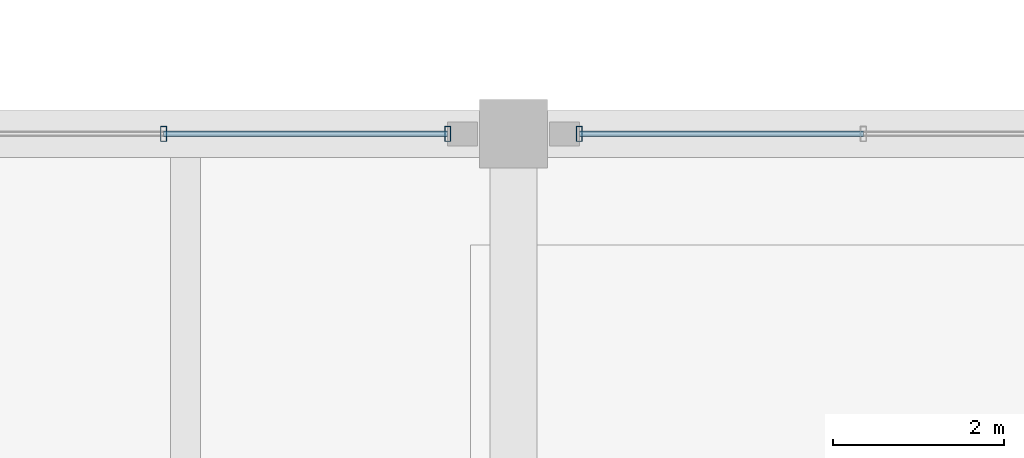
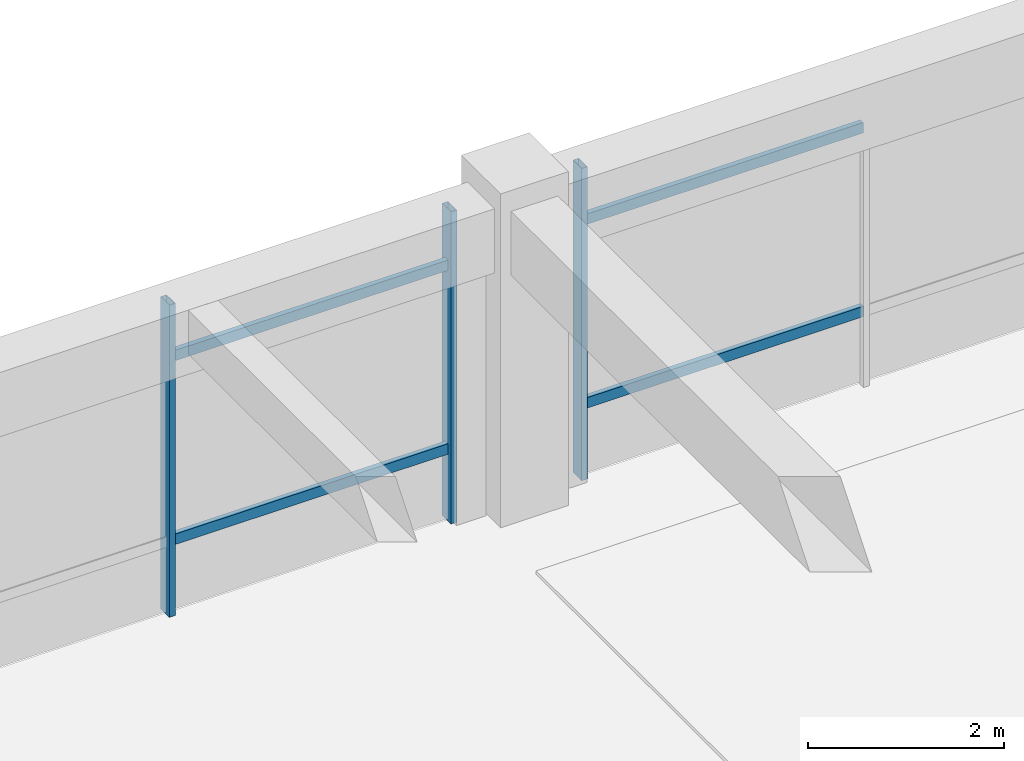
# One storey, part 21 of 33: 7 members, 2 elements without a shape of their own.
"""IFC4 building model written with IfcOpenShell, lengths in metres."""

from ifc_helpers import new_model, si_unit, direction, frame, origin, origin_2d, place, context, subcontext, project, spatial, hollow_rectangle, extrude, material, material_profile, profile_set, type_object, element, aggregate, save


model = new_model("IFC4")

# Units and contexts
model_context = context("Model", 3, precision=1e-05, world=origin(), true_north=direction((0.0, 1.0)))
body_context = subcontext(model_context, "Body", "Model", "MODEL_VIEW")
ifc_project = project(units=[si_unit("LENGTHUNIT", "METRE"), si_unit("AREAUNIT", "SQUARE_METRE"), si_unit("VOLUMEUNIT", "CUBIC_METRE"), si_unit("PLANEANGLEUNIT", "RADIAN"), si_unit("MASSUNIT", "GRAM", prefix="KILO")], contexts=[model_context])

# Site, building, storey
site_placement = place(None, origin())
site = spatial("IfcSite", under=ifc_project, at=site_placement, CompositionType="ELEMENT")
building_placement = place(site_placement, origin())
building = spatial("IfcBuilding", under=site, at=building_placement, Name="Ologun Quay Terminus", CompositionType="ELEMENT")
storey_placement = place(building_placement, frame((0.0, 0.0, 18.300048828125)))
storey = spatial("IfcBuildingStorey", under=building, at=storey_placement, Name="L04", CompositionType="ELEMENT", Elevation=18.300048828125)

# Curtain wall, members
ifc_material_1 = material(Name="Aluminium 6063-T6", Category="aluminium")
curtain_wall_type = type_object("IfcCurtainWallType", Name="Operations Wing Harbour Curtain Wall L04 10400x3800", PredefinedType="USERDEFINED", material=ifc_material_1)
curtain_wall_1_placement = place(storey_placement, origin())
curtain_wall_1 = element("IfcCurtainWall", 1, at=curtain_wall_1_placement, inside=storey, type_object=curtain_wall_type, Name="CW-27 Curtain Wall CW-L04-147", ObjectType="UNITISED CURTAIN WALL", PredefinedType="USERDEFINED")
ifc_material_2 = material(Name="Aluminium 6063-T6", Category="aluminium")
ifc_material_profile_1 = material_profile(ifc_material_2, hollow_rectangle(XDim=0.070068359375, YDim=0.179931640625, WallThickness=0.0048828125, at=origin_2d()), Name="ALU 180x70x5")
ifc_profile_set_1 = profile_set([ifc_material_profile_1], Name="Aluminium 6063-T6")
member_type_1 = type_object("IfcMemberType", Name="Curtain Wall Heavy Mullion 180x70", PredefinedType="MULLION", material=ifc_profile_set_1)
member_1_placement = place(storey_placement, frame((133.909912109375, 114.800048828125, 0.0), z_axis=(0.0, 0.0, 1.0), x_axis=(1.0, 0.0, 0.0)))
member_1 = element("IfcMember", 2, at=member_1_placement, type_object=member_type_1, Name="CW-L04-147 Mullion 3", PredefinedType="MULLION", context=body_context, shape_type="SweptSolid", body=[
    extrude(hollow_rectangle(XDim=0.070068359375, YDim=0.179931640625, WallThickness=0.0048828125, at=origin_2d()), origin(), (0.0, 0.0, 1.0), 3.889892578125),
])
member_2_placement = place(storey_placement, frame((137.22998046875, 114.800048828125, 0.0), z_axis=(0.0, 0.0, 1.0), x_axis=(1.0, 0.0, 0.0)))
member_2 = element("IfcMember", 3, at=member_2_placement, type_object=member_type_1, Name="CW-L04-147 Mullion 4", PredefinedType="MULLION", context=body_context, shape_type="SweptSolid", body=[
    extrude(hollow_rectangle(XDim=0.070068359375, YDim=0.179931640625, WallThickness=0.0048828125, at=origin_2d()), origin(), (0.0, 0.0, 1.0), 3.889892578125),
])

# Curtain wall, member
curtain_wall_2_placement = place(storey_placement, origin())
curtain_wall_2 = element("IfcCurtainWall", 4, at=curtain_wall_2_placement, inside=storey, type_object=curtain_wall_type, Name="CW-27 Curtain Wall CW-L04-148", ObjectType="UNITISED CURTAIN WALL", PredefinedType="USERDEFINED")
member_3_placement = place(storey_placement, frame((138.77001953125, 114.800048828125, 0.0), z_axis=(0.0, 0.0, 1.0), x_axis=(1.0, 0.0, 0.0)))
member_3 = element("IfcMember", 5, at=member_3_placement, type_object=member_type_1, Name="CW-L04-148 Mullion 1", PredefinedType="MULLION", context=body_context, shape_type="SweptSolid", body=[
    extrude(hollow_rectangle(XDim=0.070068359375, YDim=0.179931640625, WallThickness=0.0048828125, at=origin_2d()), origin(), (0.0, 0.0, 1.0), 3.889892578125),
])

# Member
ifc_material_3 = material(Name="Aluminium 6063-T6", Category="aluminium")
ifc_material_profile_2 = material_profile(ifc_material_3, hollow_rectangle(XDim=0.06005859375, YDim=0.1298828125, WallThickness=0.00390625, at=origin_2d()), Name="ALU 130x60x4")
ifc_profile_set_2 = profile_set([ifc_material_profile_2], Name="Aluminium 6063-T6")
member_type_2 = type_object("IfcMemberType", Name="Curtain Wall Heavy Transom 130x60", PredefinedType="USERDEFINED", material=ifc_profile_set_2)
member_4_placement = place(storey_placement, frame((133.909912109375, 114.800048828125, 0.89990234375), z_axis=(1.0, 0.0, 0.0), x_axis=(0.0, 1.0, 0.0)))
member_4 = element("IfcMember", 6, at=member_4_placement, type_object=member_type_2, Name="CW-L04-147 Transom B3-1", ObjectType="TRANSOM", PredefinedType="USERDEFINED", context=body_context, shape_type="SweptSolid", body=[
    extrude(hollow_rectangle(XDim=0.06005859375, YDim=0.1298828125, WallThickness=0.00390625, at=origin_2d()), origin(), (0.0, 0.0, 1.0), 3.320068359375),
])

member_5_placement = place(storey_placement, frame((133.909912109375, 114.800048828125, 3.18994140625), z_axis=(1.0, 0.0, 0.0), x_axis=(0.0, 1.0, 0.0)))
member_5 = element("IfcMember", 7, at=member_5_placement, type_object=member_type_2, Name="CW-L04-147 Transom B3-2", ObjectType="TRANSOM", PredefinedType="USERDEFINED", context=body_context, shape_type="SweptSolid", body=[
    extrude(hollow_rectangle(XDim=0.06005859375, YDim=0.1298828125, WallThickness=0.00390625, at=origin_2d()), origin(), (0.0, 0.0, 1.0), 3.320068359375),
])

aggregate(curtain_wall_1, [member_1, member_2, member_4, member_5])

member_6_placement = place(storey_placement, frame((138.77001953125, 114.800048828125, 0.89990234375), z_axis=(1.0, 0.0, 0.0), x_axis=(0.0, 1.0, 0.0)))
member_6 = element("IfcMember", 8, at=member_6_placement, type_object=member_type_2, Name="CW-L04-148 Transom B1-1", ObjectType="TRANSOM", PredefinedType="USERDEFINED", context=body_context, shape_type="SweptSolid", body=[
    extrude(hollow_rectangle(XDim=0.06005859375, YDim=0.1298828125, WallThickness=0.00390625, at=origin_2d()), origin(), (0.0, 0.0, 1.0), 3.320068359375),
])

member_7_placement = place(storey_placement, frame((138.77001953125, 114.800048828125, 3.18994140625), z_axis=(1.0, 0.0, 0.0), x_axis=(0.0, 1.0, 0.0)))
member_7 = element("IfcMember", 9, at=member_7_placement, type_object=member_type_2, Name="CW-L04-148 Transom B1-2", ObjectType="TRANSOM", PredefinedType="USERDEFINED", context=body_context, shape_type="SweptSolid", body=[
    extrude(hollow_rectangle(XDim=0.06005859375, YDim=0.1298828125, WallThickness=0.00390625, at=origin_2d()), origin(), (0.0, 0.0, 1.0), 3.320068359375),
])

aggregate(curtain_wall_2, [member_3, member_6, member_7])

save(model, "model.ifc")
